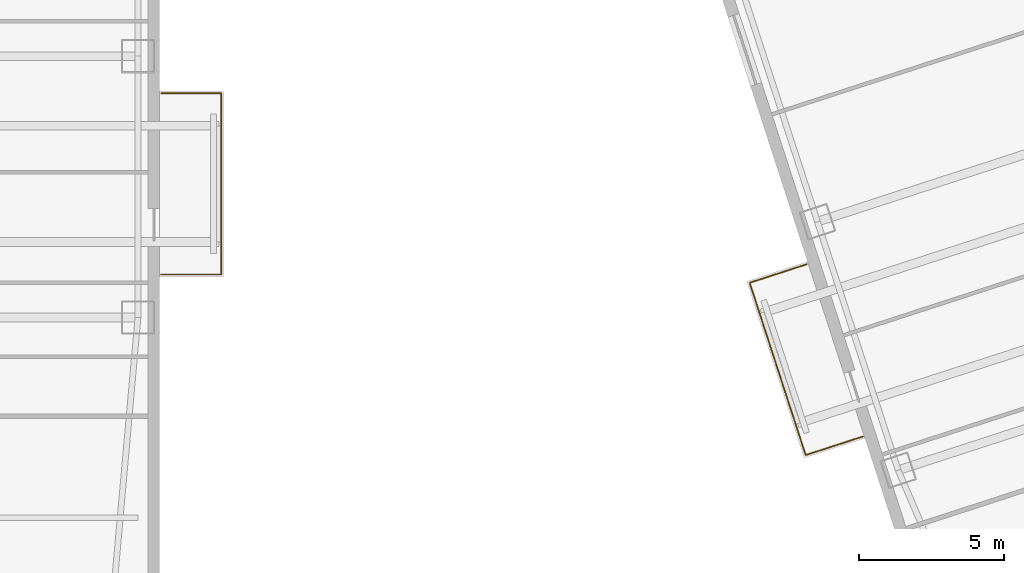
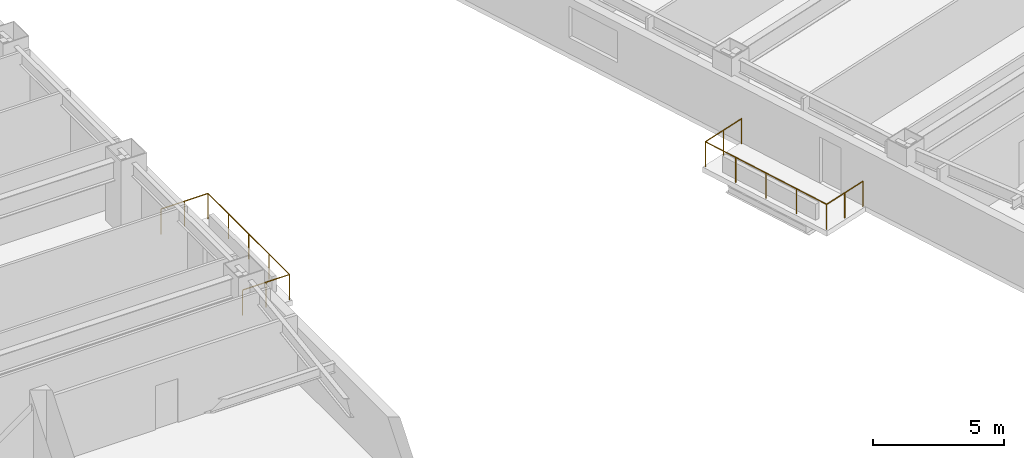
# One storey, part 12 of 15: 2 railings.
"""IFC4 building model written with IfcOpenShell, lengths in metres."""

from ifc_helpers import new_model, si_unit, direction, frame, origin, origin_2d, place, context, subcontext, project, spatial, circle, extrude, material, type_object, element, save


model = new_model("IFC4")

# Units and contexts
model_context = context("Model", 3, precision=1e-05, world=origin(), true_north=direction((0.0, 1.0)))
body_context = subcontext(model_context, "Body", "Model", "MODEL_VIEW")
ifc_project = project(units=[si_unit("LENGTHUNIT", "METRE"), si_unit("AREAUNIT", "SQUARE_METRE"), si_unit("VOLUMEUNIT", "CUBIC_METRE"), si_unit("PLANEANGLEUNIT", "RADIAN"), si_unit("MASSUNIT", "GRAM", prefix="KILO")], contexts=[model_context])

# Site, building, storey
site_placement = place(None, origin())
site = spatial("IfcSite", under=ifc_project, at=site_placement, CompositionType="ELEMENT")
building_placement = place(site_placement, origin())
building = spatial("IfcBuilding", under=site, at=building_placement, Name="Qiaolan Cultural Towers", CompositionType="ELEMENT")
storey_placement = place(building_placement, frame((0.0, 0.0, 60.949951171875)))
storey = spatial("IfcBuildingStorey", under=building, at=storey_placement, Name="L14", CompositionType="ELEMENT", Elevation=60.949951171875)

# Railings
ifc_material = material(Name="Laminated SentryGlas & Stainless Steel S31608 Balustrade", Category="steel")
railing_type = type_object("IfcRailingType", Name="GRD-TERR-1200", PredefinedType="BALUSTRADE", material=ifc_material)
railing_1_placement = place(storey_placement, frame((49.85009765625, 26.47998046875, 0.0)))
element("IfcRailing", 1, at=railing_1_placement, inside=storey, type_object=railing_type, Name="L14 T1 Tree Balcony Guardrail E", PredefinedType="BALUSTRADE", context=body_context, shape_type="SweptSolid", body=[
    extrude(circle(Radius=0.02392578125, at=origin_2d()), frame((0.0, 0.0, 1.17578125), z_axis=(1.0, 0.0, 0.0), x_axis=(0.0, 1.0, 0.0)), (0.0, 0.0, 1.0), 2.06982421875),
    extrude(circle(Radius=0.02392578125, at=origin_2d()), frame((2.06982421875, 0.0, 1.17578125), z_axis=(0.0, 1.0, 0.0), x_axis=(-1.0, 0.0, 0.0)), (0.0, 0.0, 1.0), 6.239990234375),
    extrude(circle(Radius=0.02392578125, at=origin_2d()), frame((2.06982421875, 6.239990234375, 1.17578125), z_axis=(-1.0, 0.0, 0.0), x_axis=(0.0, -1.0, 0.0)), (0.0, 0.0, 1.0), 2.06982421875),
    extrude(circle(Radius=0.02099609375, at=origin_2d()), origin(), (0.0, 0.0, 1.0), 1.15185546875),
    extrude(circle(Radius=0.02099609375, at=origin_2d()), frame((1.034912109375, 0.0, 0.0)), (0.0, 0.0, 1.0), 1.15185546875),
    extrude(circle(Radius=0.02099609375, at=origin_2d()), frame((2.06982421875, 0.0, 0.0)), (0.0, 0.0, 1.0), 1.15185546875),
    extrude(circle(Radius=0.02099609375, at=origin_2d()), frame((2.06982421875, 1.56005859375, 0.0)), (0.0, 0.0, 1.0), 1.15185546875),
    extrude(circle(Radius=0.02099609375, at=origin_2d()), frame((2.06982421875, 3.1201171875, 0.0)), (0.0, 0.0, 1.0), 1.15185546875),
    extrude(circle(Radius=0.02099609375, at=origin_2d()), frame((2.06982421875, 4.679931640625, 0.0)), (0.0, 0.0, 1.0), 1.15185546875),
    extrude(circle(Radius=0.02099609375, at=origin_2d()), frame((2.06982421875, 6.239990234375, 0.0)), (0.0, 0.0, 1.0), 1.15185546875),
    extrude(circle(Radius=0.02099609375, at=origin_2d()), frame((1.034912109375, 6.239990234375, 0.0)), (0.0, 0.0, 1.0), 1.15185546875),
    extrude(circle(Radius=0.02099609375, at=origin_2d()), frame((0.0, 6.239990234375, 0.0)), (0.0, 0.0, 1.0), 1.15185546875),
])
railing_2_placement = place(storey_placement, frame((74.015869140625, 20.8994140625, 0.0)))
element("IfcRailing", 2, at=railing_2_placement, inside=storey, type_object=railing_type, Name="L14 T2 Tree Balcony Guardrail W", PredefinedType="BALUSTRADE", context=body_context, shape_type="SweptSolid", body=[
    extrude(circle(Radius=0.02392578125, at=origin_2d()), frame((0.0, 0.0, 1.17578125), z_axis=(-0.951050536716, -0.309035397023, 0.0), x_axis=(0.309035397023, -0.951050536716, 0.0)), (0.0, 0.0, 1.0), 2.06982421875),
    extrude(circle(Radius=0.02392578125, at=origin_2d()), frame((-1.968505859375, -0.6396484375, 1.17578125), z_axis=(-0.309047146287, 0.951046718817, 0.0), x_axis=(-0.951046718817, -0.309047146287, 0.0)), (0.0, 0.0, 1.0), 6.239990234375),
    extrude(circle(Radius=0.02392578125, at=origin_2d()), frame((-3.89697265625, 5.294921875, 1.17578125), z_axis=(0.951061799618, 0.309000733507, 0.0), x_axis=(-0.309000733507, 0.951061799618, 0.0)), (0.0, 0.0, 1.0), 2.070068359375),
    extrude(circle(Radius=0.02099609375, at=origin_2d()), origin(), (0.0, 0.0, 1.0), 1.15185546875),
    extrude(circle(Radius=0.02099609375, at=origin_2d()), frame((-0.984375, -0.31982421875, 0.0)), (0.0, 0.0, 1.0), 1.15185546875),
    extrude(circle(Radius=0.02099609375, at=origin_2d()), frame((-1.968505859375, -0.6396484375, 0.0)), (0.0, 0.0, 1.0), 1.15185546875),
    extrude(circle(Radius=0.02099609375, at=origin_2d()), frame((-2.45068359375, 0.843994140625, 0.0)), (0.0, 0.0, 1.0), 1.15185546875),
    extrude(circle(Radius=0.02099609375, at=origin_2d()), frame((-2.9326171875, 2.32763671875, 0.0)), (0.0, 0.0, 1.0), 1.15185546875),
    extrude(circle(Radius=0.02099609375, at=origin_2d()), frame((-3.414794921875, 3.811279296875, 0.0)), (0.0, 0.0, 1.0), 1.15185546875),
    extrude(circle(Radius=0.02099609375, at=origin_2d()), frame((-3.89697265625, 5.294921875, 0.0)), (0.0, 0.0, 1.0), 1.15185546875),
    extrude(circle(Radius=0.02099609375, at=origin_2d()), frame((-2.91259765625, 5.61474609375, 0.0)), (0.0, 0.0, 1.0), 1.15185546875),
    extrude(circle(Radius=0.02099609375, at=origin_2d()), frame((-1.92822265625, 5.9345703125, 0.0)), (0.0, 0.0, 1.0), 1.15185546875),
])

save(model, "model.ifc")
